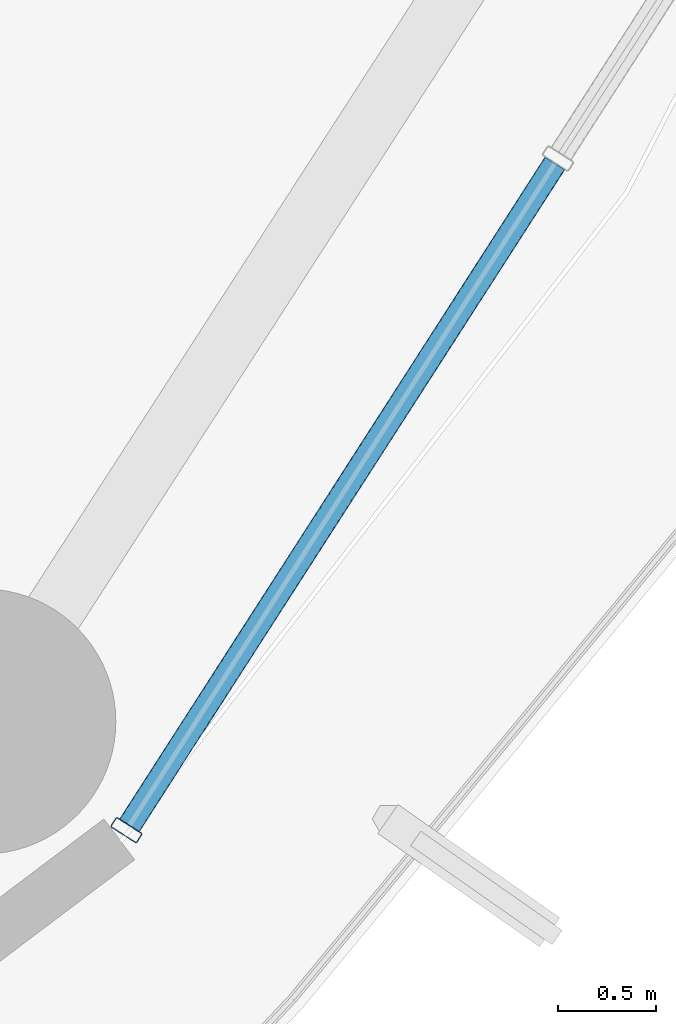
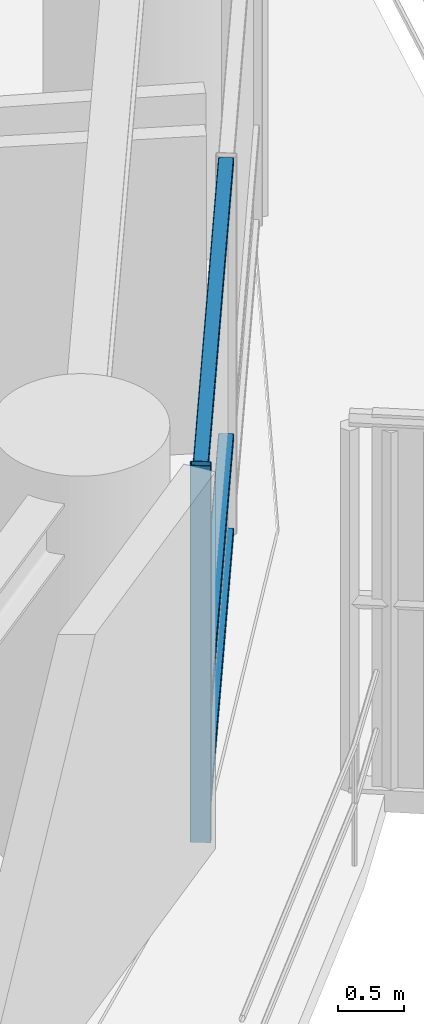
# One storey, part 12 of 37: 4 members, 1 element without a shape of its own.
"""IFC4 building model written with IfcOpenShell, lengths in metres."""

import ifcopenshell
import ifcopenshell.guid

model = None  # the IFC model being written
_history = None  # IfcOwnerHistory: only IFC2X3 demands one
_inside = {}  # id of a spatial element -> (the spatial element, [elements in it])
_under = {}  # id of a project, library or spatial element -> (it, [spatial elements below it])
_declared = {}  # id of a project -> (the project, [libraries it declares])
_typed = {}  # id of a type object -> (the type object, [elements of that type])
_made_of = {}  # id of a material, layer set ... -> (it, [elements and type objects made of it])


def new_model(schema):
    """Start an empty IFC model of exactly this schema.

    Asked for "IFC4X3", IfcOpenShell would pick the latest addendum, in which some entities
    have other attributes; the version numbers below select the first issue.
    IFC2X3 requires an IfcOwnerHistory on every rooted entity: one is made here for all.
    """
    global model, _history
    if schema == "IFC4X3":
        model = ifcopenshell.file(schema_version=(4, 3, 0, 0))
    else:
        model = ifcopenshell.file(schema=schema)
    _inside.clear()
    _under.clear()
    _declared.clear()
    _typed.clear()
    _made_of.clear()
    _history = None
    if model.schema == "IFC2X3":
        org = make("IfcOrganization", Name="unknown")
        user = make(
            "IfcPersonAndOrganization",
            ThePerson=make("IfcPerson", FamilyName="unknown"),
            TheOrganization=org,
        )
        app = make(
            "IfcApplication",
            ApplicationDeveloper=org,
            Version="unknown",
            ApplicationFullName="unknown",
            ApplicationIdentifier="unknown",
        )
        _history = make(
            "IfcOwnerHistory",
            OwningUser=user,
            OwningApplication=app,
            ChangeAction="ADDED",
            CreationDate=0,
        )
    return model


def make(cls, **values):
    """One entity of the class cls with the attributes given. An attribute that is None is left unset."""
    return model.create_entity(
        cls, **{name: value for name, value in values.items() if value is not None}
    )


def rooted(cls, **values):
    """An entity with a GlobalId (a new one), such as an element, a storey or a relation."""
    return make(cls, GlobalId=ifcopenshell.guid.new(), OwnerHistory=_history, **values)


def si_unit(unit_type, name, prefix=None):
    """IfcSIUnit, for example si_unit("LENGTHUNIT", "METRE", prefix="MILLI")."""
    return make("IfcSIUnit", UnitType=unit_type, Prefix=prefix, Name=name)


def assignment(units):
    """IfcUnitAssignment: the units of a project."""
    return None if units is None else make("IfcUnitAssignment", Units=units)


def point(xyz):
    """IfcCartesianPoint."""
    return None if xyz is None else make("IfcCartesianPoint", Coordinates=xyz)


def direction(xyz):
    """IfcDirection."""
    return None if xyz is None else make("IfcDirection", DirectionRatios=xyz)


def frame(location, z_axis=None, x_axis=None):
    """IfcAxis2Placement3D, a coordinate frame: its origin and axes. An axis left out is left unset."""
    return make(
        "IfcAxis2Placement3D",
        Location=point(location),
        Axis=direction(z_axis),
        RefDirection=direction(x_axis),
    )


def frame_2d(location, x_axis=None):
    """IfcAxis2Placement2D, a coordinate frame in the plane: its origin and x axis."""
    return make(
        "IfcAxis2Placement2D", Location=point(location), RefDirection=direction(x_axis)
    )


def origin():
    """The frame at (0, 0, 0) with its axes left unset."""
    return frame((0.0, 0.0, 0.0))


def origin_2d():
    """The frame at (0, 0) in the plane with its x axis left unset."""
    return frame_2d((0.0, 0.0))


def place(relative_to, where):
    """IfcLocalPlacement: puts the frame where relative to a parent placement (None: the world)."""
    return make(
        "IfcLocalPlacement", PlacementRelTo=relative_to, RelativePlacement=where
    )


def context(
    kind, dimensions, precision=None, world=None, true_north=None, identifier=None
):
    """IfcGeometricRepresentationContext, for example the 3D "Model" context."""
    return make(
        "IfcGeometricRepresentationContext",
        ContextIdentifier=identifier,
        ContextType=kind,
        CoordinateSpaceDimension=dimensions,
        Precision=precision,
        WorldCoordinateSystem=world,
        TrueNorth=true_north,
    )


def subcontext(parent, identifier, kind, view, scale=None):
    """IfcGeometricRepresentationSubContext, for example "Body" below "Model"."""
    return make(
        "IfcGeometricRepresentationSubContext",
        ContextIdentifier=identifier,
        ContextType=kind,
        ParentContext=parent,
        TargetScale=scale,
        TargetView=view,
    )


def project(units=None, contexts=None):
    """IfcProject with its units and contexts."""
    return rooted(
        "IfcProject",
        Name="project",
        RepresentationContexts=contexts,
        UnitsInContext=assignment(units),
    )


def spatial(cls, under=None, at=None, **own):
    """A site, building, storey or space (cls), placed at a placement, below another one or the project."""
    s = rooted(cls, ObjectPlacement=at, **own)
    if under is not None:
        _under.setdefault(under.id(), (under, []))[1].append(s)
    return s


def profile(cls, at=None, kind="AREA", **sizes):
    """A parametric profile (cls). Its sizes go by their IFC names, for example OverallWidth=200.0."""
    return make(cls, ProfileType=kind, Position=at, **sizes)


def hollow_rectangle(**sizes):
    """IfcRectangleHollowProfileDef."""
    return profile("IfcRectangleHollowProfileDef", **sizes)


def extrude(swept, where, along, depth):
    """IfcExtrudedAreaSolid: the profile swept, set in the frame where, extruded along a direction by depth."""
    return make(
        "IfcExtrudedAreaSolid",
        SweptArea=swept,
        Position=where,
        ExtrudedDirection=direction(along),
        Depth=depth,
    )


def shape(context_of_items, identifier, shape_type, items):
    """IfcShapeRepresentation: the items that make up one representation, for example the "Body"."""
    return make(
        "IfcShapeRepresentation",
        ContextOfItems=context_of_items,
        RepresentationIdentifier=identifier,
        RepresentationType=shape_type,
        Items=items,
    )


def material(Name=None, Category=None):
    """IfcMaterial."""
    return make("IfcMaterial", Name=Name, Category=Category)


def layer(
    of_material, thickness, ventilated=None, Name=None, Category=None, Priority=None
):
    """IfcMaterialLayer: one layer of a wall or slab, of a material (None: an air gap)."""
    return make(
        "IfcMaterialLayer",
        Material=of_material,
        LayerThickness=thickness,
        IsVentilated=ventilated,
        Name=Name,
        Category=Category,
        Priority=Priority,
    )


def layer_set(layers, Name=None):
    """IfcMaterialLayerSet."""
    return make("IfcMaterialLayerSet", MaterialLayers=layers, LayerSetName=Name)


def material_profile(
    of_material, cross_section, Name=None, Category=None, Priority=None
):
    """IfcMaterialProfile: a cross section and its material."""
    return make(
        "IfcMaterialProfile",
        Name=Name,
        Material=of_material,
        Profile=cross_section,
        Priority=Priority,
        Category=Category,
    )


def profile_set(profiles, Name=None, composite=None):
    """IfcMaterialProfileSet."""
    return make(
        "IfcMaterialProfileSet",
        Name=Name,
        MaterialProfiles=profiles,
        CompositeProfile=composite,
    )


def made_of(thing, what):
    """Note that an element or type object is made of a material, layer set ...; save() writes the relation."""
    if what is not None:
        _made_of.setdefault(what.id(), (what, []))[1].append(thing)
    return thing


def type_object(cls, material=None, **own):
    """A type object (cls), such as IfcWallType, which elements share."""
    return made_of(rooted(cls, **own), material)


def element(
    cls,
    number,
    at=None,
    inside=None,
    cuts=None,
    type_object=None,
    material=None,
    context=None,
    identifier="Body",
    shape_type=None,
    held_by="IfcProductDefinitionShape",
    body=None,
    shapes=None,
    **own,
):
    """One element of the class cls, such as IfcWall. Its Tag is "e" and its number.

    at: its placement. inside: the storey or other place that contains it. cuts: it is an
    opening in that element (IfcRelVoidsElement). A single representation is given by context,
    identifier, shape_type and body (its items); several are given by shapes. held_by: the class
    of the entity that holds the representations. save() writes the other relations.
    """
    e = rooted(cls, Tag="e%d" % number, ObjectPlacement=at, **own)
    if body is not None:
        shapes = [shape(context, identifier, shape_type, body)]
    if shapes is not None:
        e.Representation = make(held_by, Representations=shapes)
    if inside is not None:
        _inside.setdefault(inside.id(), (inside, []))[1].append(e)
    if cuts is not None:
        rooted(
            "IfcRelVoidsElement", RelatingBuildingElement=cuts, RelatedOpeningElement=e
        )
    if type_object is not None:
        _typed.setdefault(type_object.id(), (type_object, []))[1].append(e)
    return made_of(e, material)


def aggregate(whole, parts):
    """IfcRelAggregates: a whole, such as a stair, and the parts it consists of."""
    return rooted("IfcRelAggregates", RelatingObject=whole, RelatedObjects=parts)


def save(model, path):
    """Write the relations noted so far, then the file.

    IfcRelAggregates (storeys below a building ...), IfcRelContainedInSpatialStructure (elements
    in a storey), IfcRelDefinesByType, IfcRelAssociatesMaterial and IfcRelDeclares: one each for
    every whole, place, type object, material and project.
    """
    for whole, parts in _under.values():
        aggregate(whole, parts)
    for where, things in _inside.values():
        rooted(
            "IfcRelContainedInSpatialStructure",
            RelatedElements=things,
            RelatingStructure=where,
        )
    for kind, things in _typed.values():
        rooted("IfcRelDefinesByType", RelatedObjects=things, RelatingType=kind)
    for what, things in _made_of.values():
        rooted("IfcRelAssociatesMaterial", RelatedObjects=things, RelatingMaterial=what)
    for by, libraries in _declared.values():
        rooted("IfcRelDeclares", RelatingContext=by, RelatedDefinitions=libraries)
    model.write(path)


model = new_model("IFC4")

# Units and contexts
model_context = context("Model", 3, precision=1e-05, world=origin(), true_north=direction((0.0, 1.0)))
body_context = subcontext(model_context, "Body", "Model", "MODEL_VIEW")
ifc_project = project(units=[si_unit("LENGTHUNIT", "METRE"), si_unit("AREAUNIT", "SQUARE_METRE"), si_unit("VOLUMEUNIT", "CUBIC_METRE"), si_unit("PLANEANGLEUNIT", "RADIAN"), si_unit("MASSUNIT", "GRAM", prefix="KILO")], contexts=[model_context])

# Site, building, storey
site_placement = place(None, origin())
site = spatial("IfcSite", under=ifc_project, at=site_placement, CompositionType="ELEMENT")
building_placement = place(site_placement, origin())
building = spatial("IfcBuilding", under=site, at=building_placement, Name="Kelanora Arch Commons", CompositionType="ELEMENT")
storey_placement = place(building_placement, frame((0.0, 0.0, 110.10009765625)))
storey = spatial("IfcBuildingStorey", under=building, at=storey_placement, Name="L28", CompositionType="ELEMENT", Elevation=110.10009765625)

# Curtain wall, members
ifc_material_1 = material(Name="Terracotta ceramic-fritted low-E glass and aluminium", Category="masonry")
ifc_layer = layer(ifc_material_1, 0.159912109375)
ifc_layer_set = layer_set([ifc_layer], Name="Terracotta ceramic-fritted low-E glass and aluminium")
curtain_wall_type = type_object("IfcCurtainWallType", Name="CW-SYS-01", PredefinedType="NOTDEFINED", material=ifc_layer_set)
curtain_wall_placement = place(storey_placement, origin())
curtain_wall = element("IfcCurtainWall", 1, at=curtain_wall_placement, inside=storey, type_object=curtain_wall_type, Name="Unitised Curtain Wall L28-B16", PredefinedType="NOTDEFINED")
ifc_material_2 = material(Name="Powder-coated aluminium terracotta", Category="masonry")
ifc_material_profile_1 = material_profile(ifc_material_2, hollow_rectangle(XDim=0.159912109375, YDim=0.06005859375, WallThickness=0.0048828125, InnerFilletRadius=0.0048828125, OuterFilletRadius=0.010009765625, at=origin_2d()), Name="CWM160x60")
ifc_profile_set_1 = profile_set([ifc_material_profile_1], Name="Powder-coated aluminium terracotta")
member_type_1 = type_object("IfcMemberType", Name="CWM-STD", PredefinedType="MULLION", material=ifc_profile_set_1)
member_1_placement = place(storey_placement, frame((93.635009765625, 43.253662109375, 0.0), z_axis=(0.0, 0.0, 1.0), x_axis=(-0.841268883088, 0.540616931244, 0.0)))
member_1 = element("IfcMember", 2, at=member_1_placement, type_object=member_type_1, Name="CW-01 mullion 1", PredefinedType="MULLION", context=body_context, shape_type="SweptSolid", body=[
    extrude(hollow_rectangle(XDim=0.159912109375, YDim=0.06005859375, WallThickness=0.0048828125, InnerFilletRadius=0.0048828125, OuterFilletRadius=0.010009765625, at=origin_2d()), origin(), (0.0, 0.0, 1.0), 3.474853515625),
])
ifc_material_profile_2 = material_profile(ifc_material_2, hollow_rectangle(XDim=0.1201171875, YDim=0.06005859375, WallThickness=0.0048828125, InnerFilletRadius=0.0048828125, OuterFilletRadius=0.010009765625, at=origin_2d()), Name="CWT120x60")
ifc_profile_set_2 = profile_set([ifc_material_profile_2], Name="Powder-coated aluminium terracotta")
member_type_2 = type_object("IfcMemberType", Name="CWT-STD", PredefinedType="USERDEFINED", material=ifc_profile_set_2)
member_2_placement = place(storey_placement, frame((93.651123046875, 43.279052734375, 0.02978515625), z_axis=(0.540643629734, 0.841251725483, 0.0), x_axis=(-0.841251725483, 0.540643629734, 0.0)))
member_2 = element("IfcMember", 3, at=member_2_placement, type_object=member_type_2, Name="CW-01 transom 1.1", ObjectType="TRANSOM", PredefinedType="USERDEFINED", context=body_context, shape_type="SweptSolid", body=[
    extrude(hollow_rectangle(XDim=0.1201171875, YDim=0.06005859375, WallThickness=0.0048828125, InnerFilletRadius=0.0048828125, OuterFilletRadius=0.010009765625, at=origin_2d()), origin(), (0.0, 0.0, 1.0), 4.00634765625),
])
member_3_placement = place(storey_placement, frame((93.651123046875, 43.279052734375, 0.89990234375), z_axis=(0.540643629734, 0.841251725483, 0.0), x_axis=(-0.841251725483, 0.540643629734, 0.0)))
member_3 = element("IfcMember", 4, at=member_3_placement, type_object=member_type_2, Name="CW-01 transom 1.2", ObjectType="TRANSOM", PredefinedType="USERDEFINED", context=body_context, shape_type="SweptSolid", body=[
    extrude(hollow_rectangle(XDim=0.1201171875, YDim=0.06005859375, WallThickness=0.0048828125, InnerFilletRadius=0.0048828125, OuterFilletRadius=0.010009765625, at=origin_2d()), origin(), (0.0, 0.0, 1.0), 4.00634765625),
])
member_4_placement = place(storey_placement, frame((93.651123046875, 43.279052734375, 3.44482421875), z_axis=(0.540643629734, 0.841251725483, 0.0), x_axis=(-0.841251725483, 0.540643629734, 0.0)))
member_4 = element("IfcMember", 5, at=member_4_placement, type_object=member_type_2, Name="CW-01 transom 1.3", ObjectType="TRANSOM", PredefinedType="USERDEFINED", context=body_context, shape_type="SweptSolid", body=[
    extrude(hollow_rectangle(XDim=0.1201171875, YDim=0.06005859375, WallThickness=0.0048828125, InnerFilletRadius=0.0048828125, OuterFilletRadius=0.010009765625, at=origin_2d()), origin(), (0.0, 0.0, 1.0), 4.00634765625),
])
aggregate(curtain_wall, [member_1, member_2, member_3, member_4])

save(model, "model.ifc")
